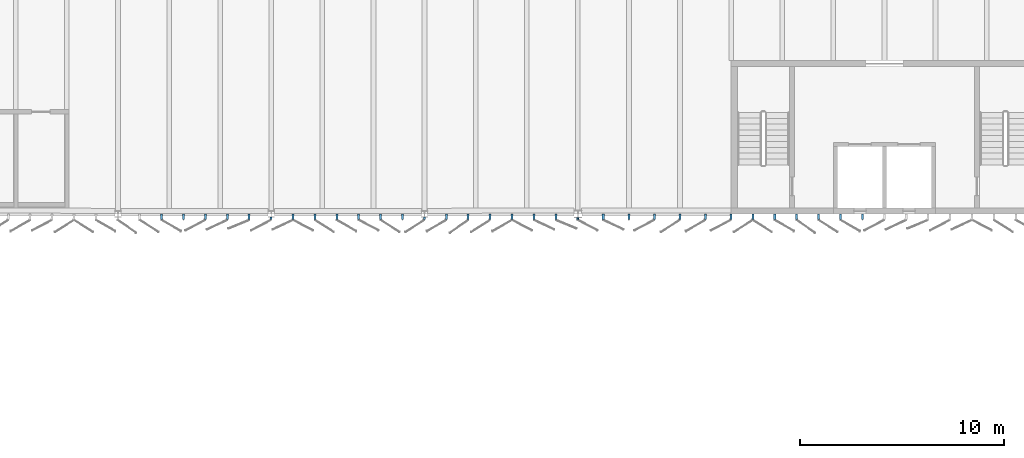
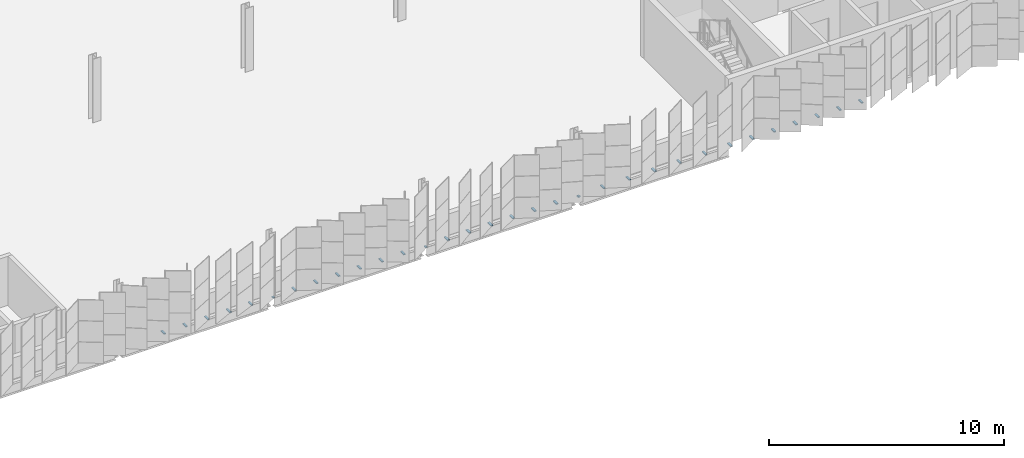
# One storey, part 180 of 214: 32 discrete accessories.
"""IFC4 building model written with IfcOpenShell, lengths in metres."""

from ifc_helpers import new_model, si_unit, direction, frame, origin, origin_2d, place, context, subcontext, project, spatial, rectangle, extrude, material, type_object, element, save


model = new_model("IFC4")

# Units and contexts
model_context = context("Model", 3, precision=1e-05, world=origin(), true_north=direction((0.0, 1.0)))
body_context = subcontext(model_context, "Body", "Model", "MODEL_VIEW")
ifc_project = project(units=[si_unit("LENGTHUNIT", "METRE"), si_unit("AREAUNIT", "SQUARE_METRE"), si_unit("VOLUMEUNIT", "CUBIC_METRE"), si_unit("PLANEANGLEUNIT", "RADIAN"), si_unit("MASSUNIT", "GRAM", prefix="KILO")], contexts=[model_context])

# Site, building, storey
site_placement = place(None, origin())
site = spatial("IfcSite", under=ifc_project, at=site_placement, CompositionType="ELEMENT")
building_placement = place(site_placement, origin())
building = spatial("IfcBuilding", under=site, at=building_placement, Name="Parallax Yard Mobility Hub", CompositionType="ELEMENT")
storey_placement = place(building_placement, frame((0.0, 0.0, 3.300048828125)))
storey = spatial("IfcBuildingStorey", under=building, at=storey_placement, Name="L01", CompositionType="ELEMENT", Elevation=3.300048828125)

# Discrete accessories
ifc_material = material(Name="Steel ASTM A36, hot-dip galvanised", Category="steel")
discrete_accessory_type = type_object("IfcDiscreteAccessoryType", Name="Hinge bracket plate 100x50", PredefinedType="BRACKET", material=ifc_material)
for number, where, z_axis, x_axis, name in (
    (1, (99.6328125, 112.3583984375, -0.02490234375), (0.0, 0.0, 1.0), (0.0, -1.0, 0.0), "Hinge bracket plate bay 9.3 level L01"),
    (2, (100.704345703125, 112.3583984375, -0.02490234375), (0.0, 0.0, 1.0), (0.0, -1.0, 0.0), "Hinge bracket plate bay 9.4 level L01"),
    (3, (101.77587890625, 112.3583984375, -0.02490234375), (0.0, 0.0, 1.0), (0.0, -1.0, 0.0), "Hinge bracket plate bay 9.5 level L01"),
    (4, (102.847412109375, 112.3583984375, -0.02490234375), (0.0, 0.0, 1.0), (0.0, -1.0, 0.0), "Hinge bracket plate bay 9.6 level L01"),
    (5, (103.9189453125, 112.3583984375, -0.02490234375), (0.0, 0.0, 1.0), (0.0, -1.0, 0.0), "Hinge bracket plate bay 9.7 level L01"),
):
    element("IfcDiscreteAccessory", number, at=place(storey_placement, frame(where, z_axis=z_axis, x_axis=x_axis)), inside=storey, type_object=discrete_accessory_type, Name=name, PredefinedType="BRACKET", context=body_context, shape_type="SweptSolid", body=[
        extrude(rectangle(XDim=0.2841796875, YDim=0.10009765625, at=origin_2d()), origin(), (0.0, 0.0, 1.0), 0.050048828125),
    ])
discrete_accessory_1_placement = place(storey_placement, frame((104.990478515625, 112.280517578125, -0.02490234375), z_axis=(0.0, 0.0, 1.0), x_axis=(0.0, -1.0, 0.0)))
element("IfcDiscreteAccessory", 6, at=discrete_accessory_1_placement, inside=storey, type_object=discrete_accessory_type, Name="Hinge bracket plate bay 10.1 level L01", PredefinedType="BRACKET", context=body_context, shape_type="SweptSolid", body=[
    extrude(rectangle(XDim=0.128173828125, YDim=0.10009765625, at=origin_2d()), origin(), (0.0, 0.0, 1.0), 0.050048828125),
])
for number, where, z_axis, x_axis, name in (
    (7, (106.06201171875, 112.3583984375, -0.02490234375), (0.0, 0.0, 1.0), (0.0, -1.0, 0.0), "Hinge bracket plate bay 10.2 level L01"),
    (8, (107.13330078125, 112.3583984375, -0.02490234375), (0.0, 0.0, 1.0), (0.0, -1.0, 0.0), "Hinge bracket plate bay 10.3 level L01"),
    (9, (108.204833984375, 112.3583984375, -0.02490234375), (0.0, 0.0, 1.0), (0.0, -1.0, 0.0), "Hinge bracket plate bay 10.4 level L01"),
    (10, (109.2763671875, 112.3583984375, -0.02490234375), (0.0, 0.0, 1.0), (0.0, -1.0, 0.0), "Hinge bracket plate bay 10.5 level L01"),
    (11, (110.347900390625, 112.3583984375, -0.02490234375), (0.0, 0.0, 1.0), (0.0, -1.0, 0.0), "Hinge bracket plate bay 10.6 level L01"),
    (12, (111.41943359375, 112.3583984375, -0.02490234375), (0.0, 0.0, 1.0), (0.0, -1.0, 0.0), "Hinge bracket plate bay 10.7 level L01"),
):
    element("IfcDiscreteAccessory", number, at=place(storey_placement, frame(where, z_axis=z_axis, x_axis=x_axis)), inside=storey, type_object=discrete_accessory_type, Name=name, PredefinedType="BRACKET", context=body_context, shape_type="SweptSolid", body=[
        extrude(rectangle(XDim=0.2841796875, YDim=0.10009765625, at=origin_2d()), origin(), (0.0, 0.0, 1.0), 0.050048828125),
    ])
discrete_accessory_2_placement = place(storey_placement, frame((112.490966796875, 112.280517578125, -0.02490234375), z_axis=(0.0, 0.0, 1.0), x_axis=(0.0, -1.0, 0.0)))
element("IfcDiscreteAccessory", 13, at=discrete_accessory_2_placement, inside=storey, type_object=discrete_accessory_type, Name="Hinge bracket plate bay 11.1 level L01", PredefinedType="BRACKET", context=body_context, shape_type="SweptSolid", body=[
    extrude(rectangle(XDim=0.128173828125, YDim=0.10009765625, at=origin_2d()), origin(), (0.0, 0.0, 1.0), 0.050048828125),
])
for number, where, z_axis, x_axis, name in (
    (14, (113.5625, 112.3583984375, -0.02490234375), (0.0, 0.0, 1.0), (0.0, -1.0, 0.0), "Hinge bracket plate bay 11.2 level L01"),
    (15, (114.634033203125, 112.3583984375, -0.02490234375), (0.0, 0.0, 1.0), (0.0, -1.0, 0.0), "Hinge bracket plate bay 11.3 level L01"),
    (16, (115.70556640625, 112.3583984375, -0.02490234375), (0.0, 0.0, 1.0), (0.0, -1.0, 0.0), "Hinge bracket plate bay 11.4 level L01"),
    (17, (116.777099609375, 112.3583984375, -0.02490234375), (0.0, 0.0, 1.0), (0.0, -1.0, 0.0), "Hinge bracket plate bay 11.5 level L01"),
    (18, (117.848388671875, 112.3583984375, -0.02490234375), (0.0, 0.0, 1.0), (0.0, -1.0, 0.0), "Hinge bracket plate bay 11.6 level L01"),
    (19, (118.919921875, 112.3583984375, -0.02490234375), (0.0, 0.0, 1.0), (0.0, -1.0, 0.0), "Hinge bracket plate bay 11.7 level L01"),
):
    element("IfcDiscreteAccessory", number, at=place(storey_placement, frame(where, z_axis=z_axis, x_axis=x_axis)), inside=storey, type_object=discrete_accessory_type, Name=name, PredefinedType="BRACKET", context=body_context, shape_type="SweptSolid", body=[
        extrude(rectangle(XDim=0.2841796875, YDim=0.10009765625, at=origin_2d()), origin(), (0.0, 0.0, 1.0), 0.050048828125),
    ])
discrete_accessory_3_placement = place(storey_placement, frame((119.991455078125, 112.26513671875, -0.02490234375), z_axis=(0.0, 0.0, 1.0), x_axis=(0.0, -1.0, 0.0)))
element("IfcDiscreteAccessory", 20, at=discrete_accessory_3_placement, inside=storey, type_object=discrete_accessory_type, Name="Hinge bracket plate bay 12.1 level L01", PredefinedType="BRACKET", context=body_context, shape_type="SweptSolid", body=[
    extrude(rectangle(XDim=0.09765625, YDim=0.10009765625, at=origin_2d()), origin(), (0.0, 0.0, 1.0), 0.050048828125),
])
for number, where, z_axis, x_axis, name in (
    (21, (121.24072265625, 112.3583984375, -0.02490234375), (0.0, 0.0, 1.0), (0.0, -1.0, 0.0), "Hinge bracket plate bay 12.2 level L01"),
    (22, (122.489990234375, 112.3583984375, -0.02490234375), (0.0, 0.0, 1.0), (0.0, -1.0, 0.0), "Hinge bracket plate bay 12.3 level L01"),
    (23, (123.7392578125, 112.3583984375, -0.02490234375), (0.0, 0.0, 1.0), (0.0, -1.0, 0.0), "Hinge bracket plate bay 12.4 level L01"),
    (24, (124.988525390625, 112.3583984375, -0.02490234375), (0.0, 0.0, 1.0), (0.0, -1.0, 0.0), "Hinge bracket plate bay 12.5 level L01"),
    (25, (126.23779296875, 112.3583984375, -0.02490234375), (0.0, 0.0, 1.0), (0.0, -1.0, 0.0), "Hinge bracket plate bay 12.6 level L01"),
    (26, (127.487060546875, 112.3583984375, -0.02490234375), (0.0, 0.0, 1.0), (0.0, -1.0, 0.0), "Hinge bracket plate bay 13.1 level L01"),
    (27, (128.55908203125, 112.3583984375, -0.02490234375), (0.0, 0.0, 1.0), (0.0, -1.0, 0.0), "Hinge bracket plate bay 13.2 level L01"),
    (28, (129.63134765625, 112.3583984375, -0.02490234375), (0.0, 0.0, 1.0), (0.0, -1.0, 0.0), "Hinge bracket plate bay 13.3 level L01"),
    (29, (130.70361328125, 112.3583984375, -0.02490234375), (0.0, 0.0, 1.0), (0.0, -1.0, 0.0), "Hinge bracket plate bay 13.4 level L01"),
    (30, (131.77587890625, 112.3583984375, -0.02490234375), (0.0, 0.0, 1.0), (0.0, -1.0, 0.0), "Hinge bracket plate bay 13.5 level L01"),
    (31, (132.84814453125, 112.3583984375, -0.02490234375), (0.0, 0.0, 1.0), (0.0, -1.0, 0.0), "Hinge bracket plate bay 13.6 level L01"),
    (32, (133.92041015625, 112.3583984375, -0.02490234375), (0.0, 0.0, 1.0), (0.0, -1.0, 0.0), "Hinge bracket plate bay 13.7 level L01"),
):
    element("IfcDiscreteAccessory", number, at=place(storey_placement, frame(where, z_axis=z_axis, x_axis=x_axis)), inside=storey, type_object=discrete_accessory_type, Name=name, PredefinedType="BRACKET", context=body_context, shape_type="SweptSolid", body=[
        extrude(rectangle(XDim=0.2841796875, YDim=0.10009765625, at=origin_2d()), origin(), (0.0, 0.0, 1.0), 0.050048828125),
    ])

save(model, "model.ifc")
